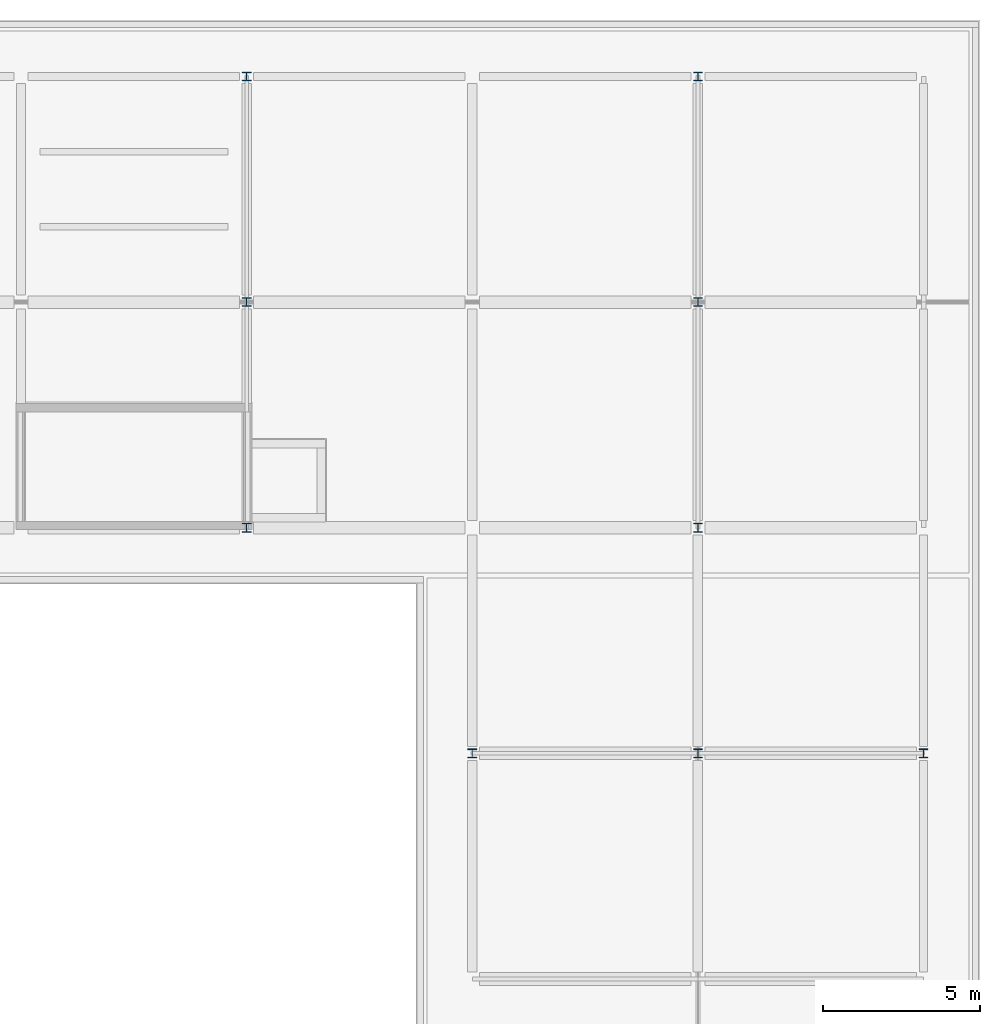
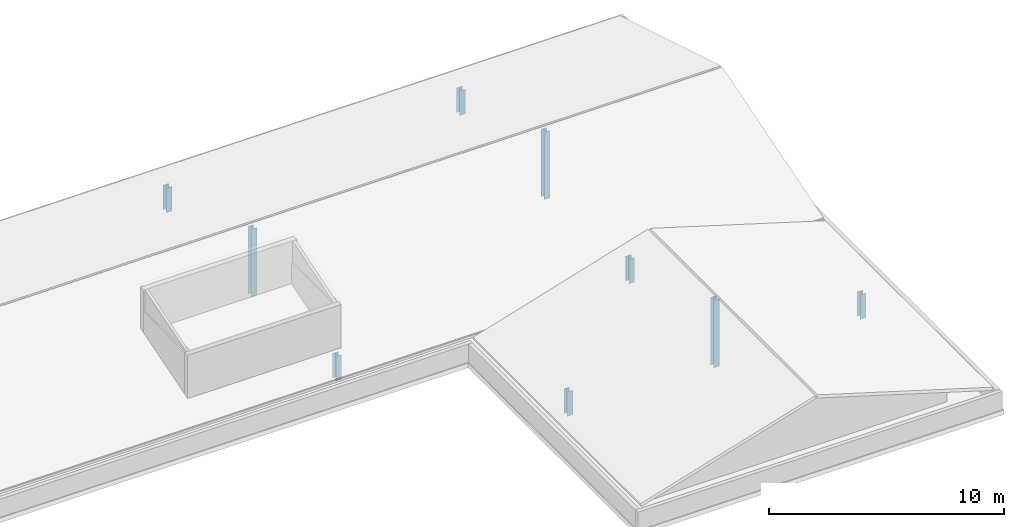
# One storey, part 3 of 19: 9 columns.
"""IFC4 building model written with IfcOpenShell, lengths in metres."""

from ifc_helpers import new_model, si_unit, direction, frame, origin, origin_2d, place, context, subcontext, project, spatial, i_section, extrude, material, material_profile, profile_set, type_object, element, save


model = new_model("IFC4")

# Units and contexts
model_context = context("Model", 3, precision=1e-05, world=origin(), true_north=direction((0.0, 1.0)))
body_context = subcontext(model_context, "Body", "Model", "MODEL_VIEW")
ifc_project = project(units=[si_unit("LENGTHUNIT", "METRE"), si_unit("AREAUNIT", "SQUARE_METRE"), si_unit("VOLUMEUNIT", "CUBIC_METRE"), si_unit("PLANEANGLEUNIT", "RADIAN"), si_unit("MASSUNIT", "GRAM", prefix="KILO")], contexts=[model_context])

# Site, building, storey
site_placement = place(None, origin())
site = spatial("IfcSite", under=ifc_project, at=site_placement, CompositionType="ELEMENT")
building_placement = place(site_placement, origin())
building = spatial("IfcBuilding", under=site, at=building_placement, Name="Suanplinth Sawtooth Commons", CompositionType="ELEMENT")
storey_placement = place(building_placement, frame((0.0, 0.0, 44.39990234375)))
storey = spatial("IfcBuildingStorey", under=building, at=storey_placement, Name="L13", CompositionType="ELEMENT", Elevation=44.39990234375)

# Columns
ifc_material = material(Name="Steel S355JR", Category="steel")
ifc_material_profile = material_profile(ifc_material, i_section(OverallWidth=0.280029296875, OverallDepth=0.280029296875, WebThickness=0.010498046875, FlangeThickness=0.01806640625, at=origin_2d()), Name="HEB 280")
ifc_profile_set = profile_set([ifc_material_profile], Name="Steel S355JR")
column_type = type_object("IfcColumnType", Name="C-11", PredefinedType="COLUMN", material=ifc_profile_set)
column_1_placement = place(storey_placement, frame((165.60009765625, 108.0, 0.0), z_axis=(0.0, 0.0, 1.0), x_axis=(1.0, 0.0, 0.0)))
element("IfcColumn", 1, at=column_1_placement, inside=storey, type_object=column_type, Name="Crown Post B 24", PredefinedType="COLUMN", context=body_context, shape_type="SweptSolid", body=[
    extrude(i_section(OverallWidth=0.280029296875, OverallDepth=0.280029296875, WebThickness=0.010498046875, FlangeThickness=0.01806640625, at=origin_2d()), origin(), (0.0, 0.0, 1.0), 1.27001953125),
])
column_2_placement = place(storey_placement, frame((165.60009765625, 115.199951171875, 0.0), z_axis=(0.0, 0.0, 1.0), x_axis=(1.0, 0.0, 0.0)))
element("IfcColumn", 2, at=column_2_placement, inside=storey, type_object=column_type, Name="Crown Post B 24", PredefinedType="COLUMN", context=body_context, shape_type="SweptSolid", body=[
    extrude(i_section(OverallWidth=0.280029296875, OverallDepth=0.280029296875, WebThickness=0.010498046875, FlangeThickness=0.01806640625, at=origin_2d()), origin(), (0.0, 0.0, 1.0), 3.5),
])
for number, where, z_axis, x_axis, name in (
    (3, (165.60009765625, 122.39990234375, 0.0), (0.0, 0.0, 1.0), (1.0, 0.0, 0.0), "Crown Post B 24"),
    (4, (180.0, 108.0, 0.0), (0.0, 0.0, 1.0), (1.0, 0.0, 0.0), "Crown Post B 26"),
):
    element("IfcColumn", number, at=place(storey_placement, frame(where, z_axis=z_axis, x_axis=x_axis)), inside=storey, type_object=column_type, Name=name, PredefinedType="COLUMN", context=body_context, shape_type="SweptSolid", body=[
        extrude(i_section(OverallWidth=0.280029296875, OverallDepth=0.280029296875, WebThickness=0.010498046875, FlangeThickness=0.01806640625, at=origin_2d()), origin(), (0.0, 0.0, 1.0), 1.27001953125),
    ])
column_3_placement = place(storey_placement, frame((180.0, 115.199951171875, 0.0), z_axis=(0.0, 0.0, 1.0), x_axis=(1.0, 0.0, 0.0)))
element("IfcColumn", 5, at=column_3_placement, inside=storey, type_object=column_type, Name="Crown Post B 26", PredefinedType="COLUMN", context=body_context, shape_type="SweptSolid", body=[
    extrude(i_section(OverallWidth=0.280029296875, OverallDepth=0.280029296875, WebThickness=0.010498046875, FlangeThickness=0.01806640625, at=origin_2d()), origin(), (0.0, 0.0, 1.0), 3.5),
])
for number, where, z_axis, x_axis, name in (
    (6, (180.0, 122.39990234375, 0.0), (0.0, 0.0, 1.0), (1.0, 0.0, 0.0), "Crown Post B 26"),
    (7, (172.800048828125, 100.800048828125, 0.0), (0.0, 0.0, 1.0), (1.0, 0.0, 0.0), "Return Crown Post B 14"),
):
    element("IfcColumn", number, at=place(storey_placement, frame(where, z_axis=z_axis, x_axis=x_axis)), inside=storey, type_object=column_type, Name=name, PredefinedType="COLUMN", context=body_context, shape_type="SweptSolid", body=[
        extrude(i_section(OverallWidth=0.280029296875, OverallDepth=0.280029296875, WebThickness=0.010498046875, FlangeThickness=0.01806640625, at=origin_2d()), origin(), (0.0, 0.0, 1.0), 1.27001953125),
    ])
column_4_placement = place(storey_placement, frame((180.0, 100.800048828125, 0.0), z_axis=(0.0, 0.0, 1.0), x_axis=(1.0, 0.0, 0.0)))
element("IfcColumn", 8, at=column_4_placement, inside=storey, type_object=column_type, Name="Return Crown Post B 14", PredefinedType="COLUMN", context=body_context, shape_type="SweptSolid", body=[
    extrude(i_section(OverallWidth=0.280029296875, OverallDepth=0.280029296875, WebThickness=0.010498046875, FlangeThickness=0.01806640625, at=origin_2d()), origin(), (0.0, 0.0, 1.0), 3.5),
])
column_5_placement = place(storey_placement, frame((187.199951171875, 100.800048828125, 0.0), z_axis=(0.0, 0.0, 1.0), x_axis=(1.0, 0.0, 0.0)))
element("IfcColumn", 9, at=column_5_placement, inside=storey, type_object=column_type, Name="Return Crown Post B 14", PredefinedType="COLUMN", context=body_context, shape_type="SweptSolid", body=[
    extrude(i_section(OverallWidth=0.280029296875, OverallDepth=0.280029296875, WebThickness=0.010498046875, FlangeThickness=0.01806640625, at=origin_2d()), origin(), (0.0, 0.0, 1.0), 1.27001953125),
])

save(model, "model.ifc")
